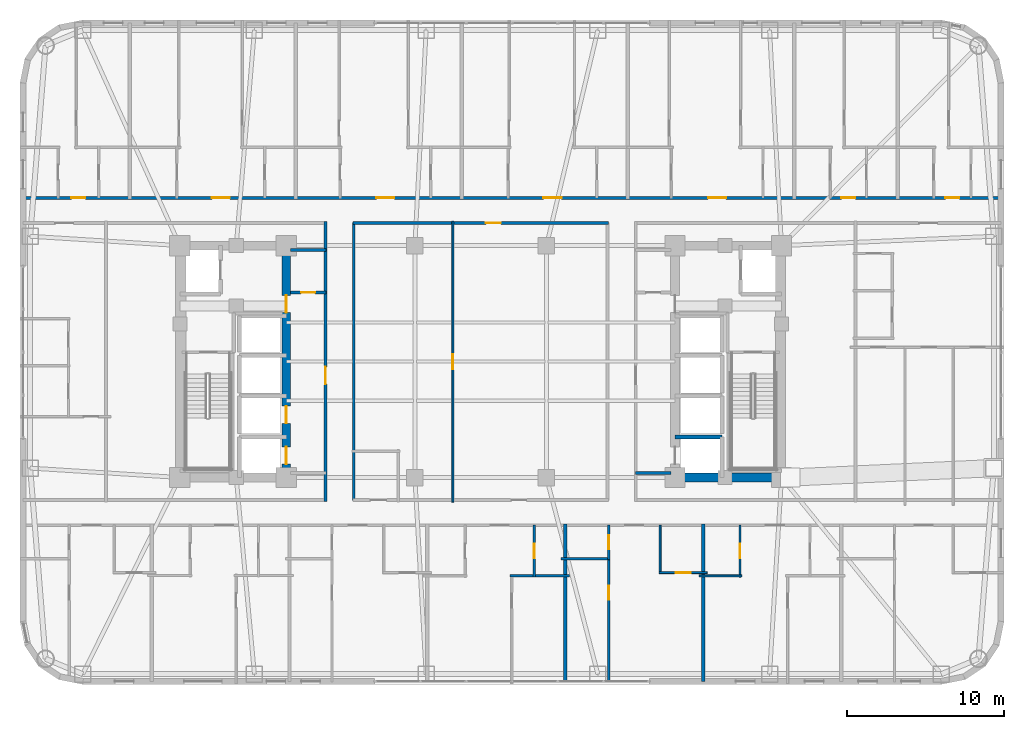
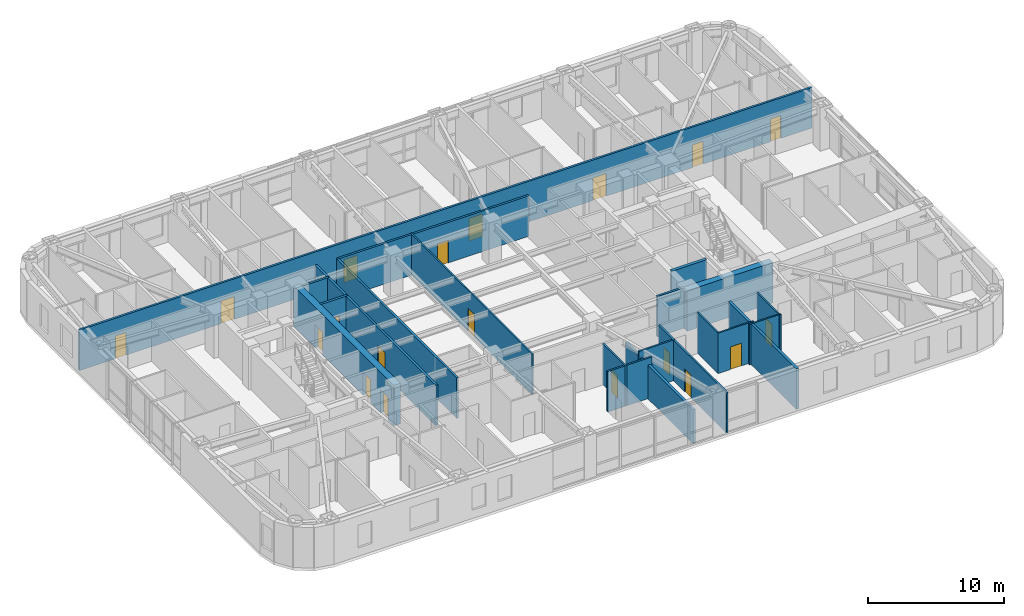
# One storey, part 22 of 28: 22 walls, 19 doors, 19 openings.
"""IFC4 building model written with IfcOpenShell, lengths in metres."""

import ifcopenshell
import ifcopenshell.guid

model = None  # the IFC model being written
_history = None  # IfcOwnerHistory: only IFC2X3 demands one
_inside = {}  # id of a spatial element -> (the spatial element, [elements in it])
_under = {}  # id of a project, library or spatial element -> (it, [spatial elements below it])
_declared = {}  # id of a project -> (the project, [libraries it declares])
_typed = {}  # id of a type object -> (the type object, [elements of that type])
_made_of = {}  # id of a material, layer set ... -> (it, [elements and type objects made of it])


def new_model(schema):
    """Start an empty IFC model of exactly this schema.

    Asked for "IFC4X3", IfcOpenShell would pick the latest addendum, in which some entities
    have other attributes; the version numbers below select the first issue.
    IFC2X3 requires an IfcOwnerHistory on every rooted entity: one is made here for all.
    """
    global model, _history
    if schema == "IFC4X3":
        model = ifcopenshell.file(schema_version=(4, 3, 0, 0))
    else:
        model = ifcopenshell.file(schema=schema)
    _inside.clear()
    _under.clear()
    _declared.clear()
    _typed.clear()
    _made_of.clear()
    _history = None
    if model.schema == "IFC2X3":
        org = make("IfcOrganization", Name="unknown")
        user = make(
            "IfcPersonAndOrganization",
            ThePerson=make("IfcPerson", FamilyName="unknown"),
            TheOrganization=org,
        )
        app = make(
            "IfcApplication",
            ApplicationDeveloper=org,
            Version="unknown",
            ApplicationFullName="unknown",
            ApplicationIdentifier="unknown",
        )
        _history = make(
            "IfcOwnerHistory",
            OwningUser=user,
            OwningApplication=app,
            ChangeAction="ADDED",
            CreationDate=0,
        )
    return model


def make(cls, **values):
    """One entity of the class cls with the attributes given. An attribute that is None is left unset."""
    return model.create_entity(
        cls, **{name: value for name, value in values.items() if value is not None}
    )


def rooted(cls, **values):
    """An entity with a GlobalId (a new one), such as an element, a storey or a relation."""
    return make(cls, GlobalId=ifcopenshell.guid.new(), OwnerHistory=_history, **values)


def si_unit(unit_type, name, prefix=None):
    """IfcSIUnit, for example si_unit("LENGTHUNIT", "METRE", prefix="MILLI")."""
    return make("IfcSIUnit", UnitType=unit_type, Prefix=prefix, Name=name)


def assignment(units):
    """IfcUnitAssignment: the units of a project."""
    return None if units is None else make("IfcUnitAssignment", Units=units)


def point(xyz):
    """IfcCartesianPoint."""
    return None if xyz is None else make("IfcCartesianPoint", Coordinates=xyz)


def direction(xyz):
    """IfcDirection."""
    return None if xyz is None else make("IfcDirection", DirectionRatios=xyz)


def frame(location, z_axis=None, x_axis=None):
    """IfcAxis2Placement3D, a coordinate frame: its origin and axes. An axis left out is left unset."""
    return make(
        "IfcAxis2Placement3D",
        Location=point(location),
        Axis=direction(z_axis),
        RefDirection=direction(x_axis),
    )


def frame_2d(location, x_axis=None):
    """IfcAxis2Placement2D, a coordinate frame in the plane: its origin and x axis."""
    return make(
        "IfcAxis2Placement2D", Location=point(location), RefDirection=direction(x_axis)
    )


def origin():
    """The frame at (0, 0, 0) with its axes left unset."""
    return frame((0.0, 0.0, 0.0))


def place(relative_to, where):
    """IfcLocalPlacement: puts the frame where relative to a parent placement (None: the world)."""
    return make(
        "IfcLocalPlacement", PlacementRelTo=relative_to, RelativePlacement=where
    )


def context(
    kind, dimensions, precision=None, world=None, true_north=None, identifier=None
):
    """IfcGeometricRepresentationContext, for example the 3D "Model" context."""
    return make(
        "IfcGeometricRepresentationContext",
        ContextIdentifier=identifier,
        ContextType=kind,
        CoordinateSpaceDimension=dimensions,
        Precision=precision,
        WorldCoordinateSystem=world,
        TrueNorth=true_north,
    )


def subcontext(parent, identifier, kind, view, scale=None):
    """IfcGeometricRepresentationSubContext, for example "Body" below "Model"."""
    return make(
        "IfcGeometricRepresentationSubContext",
        ContextIdentifier=identifier,
        ContextType=kind,
        ParentContext=parent,
        TargetScale=scale,
        TargetView=view,
    )


def project(units=None, contexts=None):
    """IfcProject with its units and contexts."""
    return rooted(
        "IfcProject",
        Name="project",
        RepresentationContexts=contexts,
        UnitsInContext=assignment(units),
    )


def spatial(cls, under=None, at=None, **own):
    """A site, building, storey or space (cls), placed at a placement, below another one or the project."""
    s = rooted(cls, ObjectPlacement=at, **own)
    if under is not None:
        _under.setdefault(under.id(), (under, []))[1].append(s)
    return s


def profile(cls, at=None, kind="AREA", **sizes):
    """A parametric profile (cls). Its sizes go by their IFC names, for example OverallWidth=200.0."""
    return make(cls, ProfileType=kind, Position=at, **sizes)


def rectangle(**sizes):
    """IfcRectangleProfileDef."""
    return profile("IfcRectangleProfileDef", **sizes)


def extrude(swept, where, along, depth):
    """IfcExtrudedAreaSolid: the profile swept, set in the frame where, extruded along a direction by depth."""
    return make(
        "IfcExtrudedAreaSolid",
        SweptArea=swept,
        Position=where,
        ExtrudedDirection=direction(along),
        Depth=depth,
    )


def shape(context_of_items, identifier, shape_type, items):
    """IfcShapeRepresentation: the items that make up one representation, for example the "Body"."""
    return make(
        "IfcShapeRepresentation",
        ContextOfItems=context_of_items,
        RepresentationIdentifier=identifier,
        RepresentationType=shape_type,
        Items=items,
    )


def material(Name=None, Category=None):
    """IfcMaterial."""
    return make("IfcMaterial", Name=Name, Category=Category)


def layer(
    of_material, thickness, ventilated=None, Name=None, Category=None, Priority=None
):
    """IfcMaterialLayer: one layer of a wall or slab, of a material (None: an air gap)."""
    return make(
        "IfcMaterialLayer",
        Material=of_material,
        LayerThickness=thickness,
        IsVentilated=ventilated,
        Name=Name,
        Category=Category,
        Priority=Priority,
    )


def layer_set(layers, Name=None):
    """IfcMaterialLayerSet."""
    return make("IfcMaterialLayerSet", MaterialLayers=layers, LayerSetName=Name)


def made_of(thing, what):
    """Note that an element or type object is made of a material, layer set ...; save() writes the relation."""
    if what is not None:
        _made_of.setdefault(what.id(), (what, []))[1].append(thing)
    return thing


def type_object(cls, material=None, **own):
    """A type object (cls), such as IfcWallType, which elements share."""
    return made_of(rooted(cls, **own), material)


def element(
    cls,
    number,
    at=None,
    inside=None,
    cuts=None,
    type_object=None,
    material=None,
    context=None,
    identifier="Body",
    shape_type=None,
    held_by="IfcProductDefinitionShape",
    body=None,
    shapes=None,
    **own,
):
    """One element of the class cls, such as IfcWall. Its Tag is "e" and its number.

    at: its placement. inside: the storey or other place that contains it. cuts: it is an
    opening in that element (IfcRelVoidsElement). A single representation is given by context,
    identifier, shape_type and body (its items); several are given by shapes. held_by: the class
    of the entity that holds the representations. save() writes the other relations.
    """
    e = rooted(cls, Tag="e%d" % number, ObjectPlacement=at, **own)
    if body is not None:
        shapes = [shape(context, identifier, shape_type, body)]
    if shapes is not None:
        e.Representation = make(held_by, Representations=shapes)
    if inside is not None:
        _inside.setdefault(inside.id(), (inside, []))[1].append(e)
    if cuts is not None:
        rooted(
            "IfcRelVoidsElement", RelatingBuildingElement=cuts, RelatedOpeningElement=e
        )
    if type_object is not None:
        _typed.setdefault(type_object.id(), (type_object, []))[1].append(e)
    return made_of(e, material)


def fill(opening, filler):
    """IfcRelFillsElement: the door or window that sits in an opening."""
    return rooted(
        "IfcRelFillsElement",
        RelatingOpeningElement=opening,
        RelatedBuildingElement=filler,
    )


def aggregate(whole, parts):
    """IfcRelAggregates: a whole, such as a stair, and the parts it consists of."""
    return rooted("IfcRelAggregates", RelatingObject=whole, RelatedObjects=parts)


def save(model, path):
    """Write the relations noted so far, then the file.

    IfcRelAggregates (storeys below a building ...), IfcRelContainedInSpatialStructure (elements
    in a storey), IfcRelDefinesByType, IfcRelAssociatesMaterial and IfcRelDeclares: one each for
    every whole, place, type object, material and project.
    """
    for whole, parts in _under.values():
        aggregate(whole, parts)
    for where, things in _inside.values():
        rooted(
            "IfcRelContainedInSpatialStructure",
            RelatedElements=things,
            RelatingStructure=where,
        )
    for kind, things in _typed.values():
        rooted("IfcRelDefinesByType", RelatedObjects=things, RelatingType=kind)
    for what, things in _made_of.values():
        rooted("IfcRelAssociatesMaterial", RelatedObjects=things, RelatingMaterial=what)
    for by, libraries in _declared.values():
        rooted("IfcRelDeclares", RelatingContext=by, RelatedDefinitions=libraries)
    model.write(path)


model = new_model("IFC4")

# Units and contexts
model_context = context("Model", 3, precision=1e-05, world=origin(), true_north=direction((0.0, 1.0)))
body_context = subcontext(model_context, "Body", "Model", "MODEL_VIEW")
ifc_project = project(units=[si_unit("LENGTHUNIT", "METRE"), si_unit("AREAUNIT", "SQUARE_METRE"), si_unit("VOLUMEUNIT", "CUBIC_METRE"), si_unit("PLANEANGLEUNIT", "RADIAN"), si_unit("MASSUNIT", "GRAM", prefix="KILO")], contexts=[model_context])

# Site, building, storey
site_placement = place(None, origin())
site = spatial("IfcSite", under=ifc_project, at=site_placement, CompositionType="ELEMENT")
building_placement = place(site_placement, origin())
building = spatial("IfcBuilding", under=site, at=building_placement, Name="Voryun Gate Residences", CompositionType="ELEMENT")
storey_placement = place(building_placement, frame((0.0, 0.0, 117.0)))
storey = spatial("IfcBuildingStorey", under=building, at=storey_placement, Name="L28", CompositionType="ELEMENT", Elevation=117.0)

# Wall, openings, doors
ifc_material_1 = material(Name="Concrete C60/75", Category="concrete")
ifc_layer_1 = layer(ifc_material_1, 0.550048828125, Name="CW_CORE_550")
ifc_layer_set_1 = layer_set([ifc_layer_1], Name="Concrete C60/75")
wall_type_1 = type_object("IfcWallType", Name="CW_CORE_550", PredefinedType="SHEAR", material=ifc_layer_set_1)
wall_1_placement = place(storey_placement, frame((-12.39990234375, -7.39990234375, 0.0), z_axis=(0.0, 0.0, 1.0), x_axis=(0.0, 1.0, 0.0)))
wall_1 = element("IfcWall", 1, at=wall_1_placement, inside=storey, type_object=wall_type_1, Name="L28 Core shear wall CW-L28-WE", PredefinedType="SHEAR", context=body_context, shape_type="SweptSolid", body=[
    extrude(rectangle(XDim=14.7998046875, YDim=0.550048828125, at=frame_2d((7.39990234375, 0.0))), origin(), (0.0, 0.0, 1.0), 3.64990234375),
])
opening_1_placement = place(wall_1_placement, frame((0.85009765625, 0.0, 0.0)))
opening_1 = element("IfcOpeningElement", 2, at=opening_1_placement, cuts=wall_1, Name="Opening LD2", PredefinedType="OPENING", context=body_context, shape_type="SweptSolid", body=[
    extrude(rectangle(XDim=1.10009765625, YDim=2.050048828125, at=frame_2d((0.550048828125, 1.02490234375))), frame((0.0, 0.284912109375, 0.0), z_axis=(0.0, -1.0, 0.0), x_axis=(1.0, 0.0, 0.0)), (0.0, 0.0, 1.0), 0.570068359375),
])
opening_2_placement = place(wall_1_placement, frame((3.449951171875, 0.0, 0.0)))
opening_2 = element("IfcOpeningElement", 3, at=opening_2_placement, cuts=wall_1, Name="Opening LD2", PredefinedType="OPENING", context=body_context, shape_type="SweptSolid", body=[
    extrude(rectangle(XDim=1.10009765625, YDim=2.050048828125, at=frame_2d((0.550048828125, 1.02490234375))), frame((0.0, 0.284912109375, 0.0), z_axis=(0.0, -1.0, 0.0), x_axis=(1.0, 0.0, 0.0)), (0.0, 0.0, 1.0), 0.570068359375),
])
opening_3_placement = place(wall_1_placement, frame((10.530029296875, 0.0, 0.0)))
opening_3 = element("IfcOpeningElement", 4, at=opening_3_placement, cuts=wall_1, Name="Opening D-FD60-2", PredefinedType="OPENING", context=body_context, shape_type="SweptSolid", body=[
    extrude(rectangle(XDim=1.10009765625, YDim=2.050048828125, at=frame_2d((0.550048828125, 1.02490234375))), frame((0.0, 0.284912109375, 0.0), z_axis=(0.0, -1.0, 0.0), x_axis=(1.0, 0.0, 0.0)), (0.0, 0.0, 1.0), 0.570068359375),
])
ifc_material_2 = material(Name="Painted steel fire door", Category="steel")
door_type_1 = type_object("IfcDoorType", Name="DR_FD60_FFLOB_1100", OperationType="NOTDEFINED", PredefinedType="DOOR", material=ifc_material_2)
door_1_placement = place(opening_3_placement, origin())
door_1 = element("IfcDoor", 5, at=door_1_placement, inside=storey, type_object=door_type_1, Name="Door DR-L28-CLOB-W", OperationType="SINGLE_SWING_LEFT", OverallHeight=2.050048828125, OverallWidth=1.10009765625, PredefinedType="DOOR", context=body_context, shape_type="SweptSolid", body=[
    extrude(rectangle(XDim=1.10009765625, YDim=2.050048828125, at=frame_2d((0.550048828125, 1.02490234375))), frame((0.0, 0.02490234375, 0.0), z_axis=(0.0, -1.0, 0.0), x_axis=(1.0, 0.0, 0.0)), (0.0, 0.0, 1.0), 0.050048828125),
])
fill(opening_3, door_1)
ifc_material_3 = material(Name="Anodised aluminium", Category="aluminium")
door_type_2 = type_object("IfcDoorType", Name="DR_LD_PASS_1100", OperationType="NOTDEFINED", PredefinedType="DOOR", material=ifc_material_3)
door_2_placement = place(opening_1_placement, origin())
door_2 = element("IfcDoor", 6, at=door_2_placement, inside=storey, type_object=door_type_2, Name="Lift EL-P1 sliding landing door L28", OperationType="SLIDING_TO_LEFT", OverallHeight=2.050048828125, OverallWidth=1.10009765625, PredefinedType="DOOR", context=body_context, shape_type="SweptSolid", body=[
    extrude(rectangle(XDim=1.10009765625, YDim=2.050048828125, at=frame_2d((0.550048828125, 1.02490234375))), frame((0.0, 0.02490234375, 0.0), z_axis=(0.0, -1.0, 0.0), x_axis=(1.0, 0.0, 0.0)), (0.0, 0.0, 1.0), 0.050048828125),
])
fill(opening_1, door_2)
door_3_placement = place(opening_2_placement, origin())
door_3 = element("IfcDoor", 7, at=door_3_placement, inside=storey, type_object=door_type_2, Name="Lift EL-P2 sliding landing door L28", OperationType="SLIDING_TO_LEFT", OverallHeight=2.050048828125, OverallWidth=1.10009765625, PredefinedType="DOOR", context=body_context, shape_type="SweptSolid", body=[
    extrude(rectangle(XDim=1.10009765625, YDim=2.050048828125, at=frame_2d((0.550048828125, 1.02490234375))), frame((0.0, 0.02490234375, 0.0), z_axis=(0.0, -1.0, 0.0), x_axis=(1.0, 0.0, 0.0)), (0.0, 0.0, 1.0), 0.050048828125),
])
fill(opening_2, door_3)

# Walls
wall_2_placement = place(storey_placement, frame((12.125, -7.39990234375, 0.0), z_axis=(0.0, 0.0, 1.0), x_axis=(1.0, 0.0, 0.0)))
element("IfcWall", 8, at=wall_2_placement, inside=storey, type_object=wall_type_1, Name="L28 Core shear wall CW-L28-ES", PredefinedType="SHEAR", context=body_context, shape_type="SweptSolid", body=[
    extrude(rectangle(XDim=7.35009765625, YDim=0.550048828125, at=frame_2d((3.675048828125, 0.0))), origin(), (0.0, 0.0, 1.0), 3.64990234375),
])
ifc_material_4 = material(Name="Gypsum acoustic fireboard")
ifc_layer_2 = layer(ifc_material_4, 0.179931640625, Name="W_CORR_RATED_180")
ifc_layer_set_2 = layer_set([ifc_layer_2], Name="Gypsum acoustic fireboard")
wall_type_2 = type_object("IfcWallType", Name="W_CORR_RATED_180", PredefinedType="PARTITIONING", material=ifc_layer_set_2)
for number, where, z_axis, x_axis, name in (
    (9, (-12.14990234375, 7.1201171875, 0.0), (0.0, 0.0, 1.0), (1.0, 0.0, 0.0), "Partition wall WP-L28-PLBN-W"),
    (10, (9.8798828125, -7.1201171875, 0.0), (0.0, 0.0, 1.0), (1.0, 0.0, 0.0), "Partition wall WP-L28-PLBS-E"),
):
    element("IfcWall", number, at=place(storey_placement, frame(where, z_axis=z_axis, x_axis=x_axis)), inside=storey, type_object=wall_type_2, Name=name, PredefinedType="PARTITIONING", context=body_context, shape_type="SweptSolid", body=[
        extrude(rectangle(XDim=2.27001953125, YDim=0.179931640625, at=frame_2d((1.135009765625, 0.0))), origin(), (0.0, 0.0, 1.0), 3.64990234375),
    ])

# Wall, opening, door
wall_3_placement = place(storey_placement, frame((-9.89990234375, -8.929931640625, 0.0), z_axis=(0.0, 0.0, 1.0), x_axis=(0.0, 1.0, 0.0)))
wall_3 = element("IfcWall", 11, at=wall_3_placement, inside=storey, type_object=wall_type_2, Name="Partition wall WP-L28-PLBW-FULL", PredefinedType="PARTITIONING", context=body_context, shape_type="SweptSolid", body=[
    extrude(rectangle(XDim=17.85986328125, YDim=0.179931640625, at=frame_2d((8.929931640625, 0.0))), origin(), (0.0, 0.0, 1.0), 3.64990234375),
])
opening_4_placement = place(wall_3_placement, frame((7.487060546875, 0.0, 0.0)))
opening_4 = element("IfcOpeningElement", 12, at=opening_4_placement, cuts=wall_3, Name="Opening D-FD60-2", PredefinedType="OPENING", context=body_context, shape_type="SweptSolid", body=[
    extrude(rectangle(XDim=1.10009765625, YDim=2.050048828125, at=frame_2d((0.550048828125, 1.02490234375))), frame((0.0, 0.099853515625, 0.0), z_axis=(0.0, -1.0, 0.0), x_axis=(1.0, 0.0, 0.0)), (0.0, 0.0, 1.0), 0.199951171875),
])
door_4_placement = place(opening_4_placement, origin())
door_4 = element("IfcDoor", 13, at=door_4_placement, inside=storey, type_object=door_type_1, Name="Door DR-L28-PLBW-COR", OperationType="SINGLE_SWING_LEFT", OverallHeight=2.050048828125, OverallWidth=1.10009765625, PredefinedType="DOOR", context=body_context, shape_type="SweptSolid", body=[
    extrude(rectangle(XDim=1.10009765625, YDim=2.050048828125, at=frame_2d((0.550048828125, 1.02490234375))), frame((0.0, 0.02490234375, 0.0), z_axis=(0.0, -1.0, 0.0), x_axis=(1.0, 0.0, 0.0)), (0.0, 0.0, 1.0), 0.050048828125),
])
fill(opening_4, door_4)

wall_4_placement = place(storey_placement, frame((-8.14990234375, 8.840087890625, 0.0), z_axis=(0.0, 0.0, 1.0), x_axis=(1.0, 0.0, 0.0)))
wall_4 = element("IfcWall", 14, at=wall_4_placement, inside=storey, type_object=wall_type_2, Name="Partition wall WP-L28-Z1N", PredefinedType="PARTITIONING", context=body_context, shape_type="SweptSolid", body=[
    extrude(rectangle(XDim=16.2998046875, YDim=0.179931640625, at=frame_2d((8.14990234375, 0.0))), origin(), (0.0, 0.0, 1.0), 3.64990234375),
])
opening_5_placement = place(wall_4_placement, frame((8.489990234375, 0.0, 0.0)))
opening_5 = element("IfcOpeningElement", 15, at=opening_5_placement, cuts=wall_4, Name="Opening D-INT-1", PredefinedType="OPENING", context=body_context, shape_type="SweptSolid", body=[
    extrude(rectangle(XDim=0.949951171875, YDim=2.050048828125, at=frame_2d((0.47509765625, 1.02490234375))), frame((0.0, 0.099853515625, 0.0), z_axis=(0.0, -1.0, 0.0), x_axis=(1.0, 0.0, 0.0)), (0.0, 0.0, 1.0), 0.199951171875),
])
ifc_material_5 = material(Name="Architectural oak veneer")
door_type_3 = type_object("IfcDoorType", Name="DR_INT_ROOM_950", OperationType="NOTDEFINED", PredefinedType="DOOR", material=ifc_material_5)
door_5_placement = place(opening_5_placement, origin())
door_5 = element("IfcDoor", 16, at=door_5_placement, inside=storey, type_object=door_type_3, Name="Door DR-L28-CMIDZ1N", OperationType="SINGLE_SWING_LEFT", OverallHeight=2.050048828125, OverallWidth=0.949951171875, PredefinedType="DOOR", context=body_context, shape_type="SweptSolid", body=[
    extrude(rectangle(XDim=0.949951171875, YDim=2.050048828125, at=frame_2d((0.47509765625, 1.02490234375))), frame((0.0, 0.02490234375, 0.0), z_axis=(0.0, -1.0, 0.0), x_axis=(1.0, 0.0, 0.0)), (0.0, 0.0, 1.0), 0.050048828125),
])
fill(opening_5, door_5)

# Wall
wall_5_placement = place(storey_placement, frame((-8.10009765625, -8.8798828125, 0.0), z_axis=(0.0, 0.0, 1.0), x_axis=(0.0, 1.0, 0.0)))
element("IfcWall", 17, at=wall_5_placement, inside=storey, type_object=wall_type_2, Name="Partition wall WP-L28-Z1W", PredefinedType="PARTITIONING", context=body_context, shape_type="SweptSolid", body=[
    extrude(rectangle(XDim=17.759765625, YDim=0.179931640625, at=frame_2d((8.8798828125, 0.0))), origin(), (0.0, 0.0, 1.0), 3.64990234375),
])

# Wall, openings, doors
wall_6_placement = place(storey_placement, frame((-29.2099609375, 10.449951171875, 0.0), z_axis=(0.0, 0.0, 1.0), x_axis=(1.0, 0.0, 0.0)))
wall_6 = element("IfcWall", 18, at=wall_6_placement, inside=storey, type_object=wall_type_2, Name="Partition wall WP-L28-NCORR", PredefinedType="PARTITIONING", context=body_context, shape_type="SweptSolid", body=[
    extrude(rectangle(XDim=62.419921875, YDim=0.179931640625, at=frame_2d((31.2099609375, 0.0))), origin(), (0.0, 0.0, 1.0), 3.64990234375),
])
opening_6_placement = place(wall_6_placement, frame((3.0830078125, 0.0, 0.0)))
opening_6 = element("IfcOpeningElement", 19, at=opening_6_placement, cuts=wall_6, Name="Opening D-INT-2", PredefinedType="OPENING", context=body_context, shape_type="SweptSolid", body=[
    extrude(rectangle(XDim=0.89990234375, YDim=2.050048828125, at=frame_2d((0.449951171875, 1.02490234375))), frame((0.0, 0.099853515625, 0.0), z_axis=(0.0, -1.0, 0.0), x_axis=(1.0, 0.0, 0.0)), (0.0, 0.0, 1.0), 0.199951171875),
])
opening_7_placement = place(wall_6_placement, frame((12.052490234375, 0.0, 0.0)))
opening_7 = element("IfcOpeningElement", 20, at=opening_7_placement, cuts=wall_6, Name="Opening D-UNIT-1", PredefinedType="OPENING", context=body_context, shape_type="SweptSolid", body=[
    extrude(rectangle(XDim=1.14990234375, YDim=2.050048828125, at=frame_2d((0.574951171875, 1.02490234375))), frame((0.0, 0.099853515625, 0.0), z_axis=(0.0, -1.0, 0.0), x_axis=(1.0, 0.0, 0.0)), (0.0, 0.0, 1.0), 0.199951171875),
])
opening_8_placement = place(wall_6_placement, frame((22.557861328125, 0.0, 0.0)))
opening_8 = element("IfcOpeningElement", 21, at=opening_8_placement, cuts=wall_6, Name="Opening D-UNIT-1", PredefinedType="OPENING", context=body_context, shape_type="SweptSolid", body=[
    extrude(rectangle(XDim=1.14990234375, YDim=2.050048828125, at=frame_2d((0.574951171875, 1.02490234375))), frame((0.0, 0.099853515625, 0.0), z_axis=(0.0, -1.0, 0.0), x_axis=(1.0, 0.0, 0.0)), (0.0, 0.0, 1.0), 0.199951171875),
])
opening_9_placement = place(wall_6_placement, frame((33.21923828125, 0.0, 0.0)))
opening_9 = element("IfcOpeningElement", 22, at=opening_9_placement, cuts=wall_6, Name="Opening D-UNIT-1", PredefinedType="OPENING", context=body_context, shape_type="SweptSolid", body=[
    extrude(rectangle(XDim=1.14990234375, YDim=2.050048828125, at=frame_2d((0.574951171875, 1.02490234375))), frame((0.0, 0.099853515625, 0.0), z_axis=(0.0, -1.0, 0.0), x_axis=(1.0, 0.0, 0.0)), (0.0, 0.0, 1.0), 0.199951171875),
])
opening_10_placement = place(wall_6_placement, frame((43.724609375, 0.0, 0.0)))
opening_10 = element("IfcOpeningElement", 23, at=opening_10_placement, cuts=wall_6, Name="Opening D-UNIT-1", PredefinedType="OPENING", context=body_context, shape_type="SweptSolid", body=[
    extrude(rectangle(XDim=1.14990234375, YDim=2.050048828125, at=frame_2d((0.574951171875, 1.02490234375))), frame((0.0, 0.099853515625, 0.0), z_axis=(0.0, -1.0, 0.0), x_axis=(1.0, 0.0, 0.0)), (0.0, 0.0, 1.0), 0.199951171875),
])
opening_11_placement = place(wall_6_placement, frame((52.232421875, 0.0, 0.0)))
opening_11 = element("IfcOpeningElement", 24, at=opening_11_placement, cuts=wall_6, Name="Opening D-INT-2", PredefinedType="OPENING", context=body_context, shape_type="SweptSolid", body=[
    extrude(rectangle(XDim=0.89990234375, YDim=2.050048828125, at=frame_2d((0.449951171875, 1.02490234375))), frame((0.0, 0.099853515625, 0.0), z_axis=(0.0, -1.0, 0.0), x_axis=(1.0, 0.0, 0.0)), (0.0, 0.0, 1.0), 0.199951171875),
])
opening_12_placement = place(wall_6_placement, frame((58.86767578125, 0.0, 0.0)))
opening_12 = element("IfcOpeningElement", 25, at=opening_12_placement, cuts=wall_6, Name="Opening D-INT-2", PredefinedType="OPENING", context=body_context, shape_type="SweptSolid", body=[
    extrude(rectangle(XDim=0.89990234375, YDim=2.050048828125, at=frame_2d((0.449951171875, 1.02490234375))), frame((0.0, 0.099853515625, 0.0), z_axis=(0.0, -1.0, 0.0), x_axis=(1.0, 0.0, 0.0)), (0.0, 0.0, 1.0), 0.199951171875),
])
ifc_material_6 = material(Name="Architectural oak veneer")
door_type_4 = type_object("IfcDoorType", Name="DR_INT_BATH_900", OperationType="NOTDEFINED", PredefinedType="DOOR", material=ifc_material_6)
door_6_placement = place(opening_6_placement, origin())
door_6 = element("IfcDoor", 26, at=door_6_placement, inside=storey, type_object=door_type_4, Name="Door DR-L28-NENT-1", OperationType="SINGLE_SWING_LEFT", OverallHeight=2.050048828125, OverallWidth=0.89990234375, PredefinedType="DOOR", context=body_context, shape_type="SweptSolid", body=[
    extrude(rectangle(XDim=0.89990234375, YDim=2.050048828125, at=frame_2d((0.449951171875, 1.02490234375))), frame((0.0, 0.02490234375, 0.0), z_axis=(0.0, -1.0, 0.0), x_axis=(1.0, 0.0, 0.0)), (0.0, 0.0, 1.0), 0.050048828125),
])
fill(opening_6, door_6)
door_7_placement = place(opening_11_placement, origin())
door_7 = element("IfcDoor", 27, at=door_7_placement, inside=storey, type_object=door_type_4, Name="Door DR-L28-NENT-6", OperationType="SINGLE_SWING_RIGHT", OverallHeight=2.050048828125, OverallWidth=0.89990234375, PredefinedType="DOOR", context=body_context, shape_type="SweptSolid", body=[
    extrude(rectangle(XDim=0.89990234375, YDim=2.050048828125, at=frame_2d((0.449951171875, 1.02490234375))), frame((0.0, 0.02490234375, 0.0), z_axis=(0.0, -1.0, 0.0), x_axis=(1.0, 0.0, 0.0)), (0.0, 0.0, 1.0), 0.050048828125),
])
fill(opening_11, door_7)
door_8_placement = place(opening_12_placement, origin())
door_8 = element("IfcDoor", 28, at=door_8_placement, inside=storey, type_object=door_type_4, Name="Door DR-L28-NENT-7", OperationType="SINGLE_SWING_LEFT", OverallHeight=2.050048828125, OverallWidth=0.89990234375, PredefinedType="DOOR", context=body_context, shape_type="SweptSolid", body=[
    extrude(rectangle(XDim=0.89990234375, YDim=2.050048828125, at=frame_2d((0.449951171875, 1.02490234375))), frame((0.0, 0.02490234375, 0.0), z_axis=(0.0, -1.0, 0.0), x_axis=(1.0, 0.0, 0.0)), (0.0, 0.0, 1.0), 0.050048828125),
])
fill(opening_12, door_8)
ifc_material_7 = material(Name="Armoured timber-clad fire door", Category="wood")
door_type_5 = type_object("IfcDoorType", Name="DR_UNIT_ENTRY_1150", OperationType="NOTDEFINED", PredefinedType="DOOR", material=ifc_material_7)
door_9_placement = place(opening_7_placement, origin())
door_9 = element("IfcDoor", 29, at=door_9_placement, inside=storey, type_object=door_type_5, Name="Door DR-L28-NENT-2", OperationType="SINGLE_SWING_RIGHT", OverallHeight=2.050048828125, OverallWidth=1.14990234375, PredefinedType="DOOR", context=body_context, shape_type="SweptSolid", body=[
    extrude(rectangle(XDim=1.14990234375, YDim=2.050048828125, at=frame_2d((0.574951171875, 1.02490234375))), frame((0.0, 0.02490234375, 0.0), z_axis=(0.0, -1.0, 0.0), x_axis=(1.0, 0.0, 0.0)), (0.0, 0.0, 1.0), 0.050048828125),
])
fill(opening_7, door_9)
door_10_placement = place(opening_8_placement, origin())
door_10 = element("IfcDoor", 30, at=door_10_placement, inside=storey, type_object=door_type_5, Name="Door DR-L28-NENT-3", OperationType="SINGLE_SWING_LEFT", OverallHeight=2.050048828125, OverallWidth=1.14990234375, PredefinedType="DOOR", context=body_context, shape_type="SweptSolid", body=[
    extrude(rectangle(XDim=1.14990234375, YDim=2.050048828125, at=frame_2d((0.574951171875, 1.02490234375))), frame((0.0, 0.02490234375, 0.0), z_axis=(0.0, -1.0, 0.0), x_axis=(1.0, 0.0, 0.0)), (0.0, 0.0, 1.0), 0.050048828125),
])
fill(opening_8, door_10)
door_11_placement = place(opening_9_placement, origin())
door_11 = element("IfcDoor", 31, at=door_11_placement, inside=storey, type_object=door_type_5, Name="Door DR-L28-NENT-4", OperationType="SINGLE_SWING_RIGHT", OverallHeight=2.050048828125, OverallWidth=1.14990234375, PredefinedType="DOOR", context=body_context, shape_type="SweptSolid", body=[
    extrude(rectangle(XDim=1.14990234375, YDim=2.050048828125, at=frame_2d((0.574951171875, 1.02490234375))), frame((0.0, 0.02490234375, 0.0), z_axis=(0.0, -1.0, 0.0), x_axis=(1.0, 0.0, 0.0)), (0.0, 0.0, 1.0), 0.050048828125),
])
fill(opening_9, door_11)
door_12_placement = place(opening_10_placement, origin())
door_12 = element("IfcDoor", 32, at=door_12_placement, inside=storey, type_object=door_type_5, Name="Door DR-L28-NENT-5", OperationType="SINGLE_SWING_LEFT", OverallHeight=2.050048828125, OverallWidth=1.14990234375, PredefinedType="DOOR", context=body_context, shape_type="SweptSolid", body=[
    extrude(rectangle(XDim=1.14990234375, YDim=2.050048828125, at=frame_2d((0.574951171875, 1.02490234375))), frame((0.0, 0.02490234375, 0.0), z_axis=(0.0, -1.0, 0.0), x_axis=(1.0, 0.0, 0.0)), (0.0, 0.0, 1.0), 0.050048828125),
])
fill(opening_10, door_12)

# Wall, opening, door
ifc_material_8 = material(Name="Concrete C40/50", Category="concrete")
ifc_layer_3 = layer(ifc_material_8, 0.199951171875, Name="W_FF_LOBBY_200")
ifc_layer_set_3 = layer_set([ifc_layer_3], Name="Concrete C40/50")
wall_type_3 = type_object("IfcWallType", Name="W_FF_LOBBY_200", PredefinedType="PARTITIONING", material=ifc_layer_set_3)
wall_7_placement = place(storey_placement, frame((-12.14990234375, 4.409912109375, 0.0), z_axis=(0.0, 0.0, 1.0), x_axis=(1.0, 0.0, 0.0)))
wall_7 = element("IfcWall", 33, at=wall_7_placement, inside=storey, type_object=wall_type_3, Name="Partition wall WP-L28-CSFLKS-W", PredefinedType="PARTITIONING", context=body_context, shape_type="SweptSolid", body=[
    extrude(rectangle(XDim=2.27001953125, YDim=0.199951171875, at=frame_2d((1.135009765625, 0.0))), origin(), (0.0, 0.0, 1.0), 3.64990234375),
])
opening_13_placement = place(wall_7_placement, frame((0.68505859375, 0.0, 0.0)))
opening_13 = element("IfcOpeningElement", 34, at=opening_13_placement, cuts=wall_7, Name="Opening D-FD60-4", PredefinedType="OPENING", context=body_context, shape_type="SweptSolid", body=[
    extrude(rectangle(XDim=0.89990234375, YDim=2.050048828125, at=frame_2d((0.449951171875, 1.02490234375))), frame((0.0, 0.110107421875, 0.0), z_axis=(0.0, -1.0, 0.0), x_axis=(1.0, 0.0, 0.0)), (0.0, 0.0, 1.0), 0.219970703125),
])
ifc_material_9 = material(Name="Painted steel fire door", Category="steel")
door_type_6 = type_object("IfcDoorType", Name="DR_FD60_RISER_900", OperationType="NOTDEFINED", PredefinedType="DOOR", material=ifc_material_9)
door_13_placement = place(opening_13_placement, origin())
door_13 = element("IfcDoor", 35, at=door_13_placement, inside=storey, type_object=door_type_6, Name="Door DR-L28-CSFLK-W", OperationType="SINGLE_SWING_LEFT", OverallHeight=2.050048828125, OverallWidth=0.89990234375, PredefinedType="DOOR", context=body_context, shape_type="SweptSolid", body=[
    extrude(rectangle(XDim=0.89990234375, YDim=2.050048828125, at=frame_2d((0.449951171875, 1.02490234375))), frame((0.0, 0.02490234375, 0.0), z_axis=(0.0, -1.0, 0.0), x_axis=(1.0, 0.0, 0.0)), (0.0, 0.0, 1.0), 0.050048828125),
])
fill(opening_13, door_13)

# Walls
ifc_material_10 = material(Name="Concrete C40/50", Category="concrete")
ifc_layer_4 = layer(ifc_material_10, 0.219970703125, Name="W_PARTY_ACOUSTIC_220")
ifc_layer_set_4 = layer_set([ifc_layer_4], Name="Concrete C40/50")
wall_type_4 = type_object("IfcWallType", Name="W_PARTY_ACOUSTIC_220", PredefinedType="PARTITIONING", material=ifc_layer_set_4)
wall_8_placement = place(storey_placement, frame((5.39990234375, -20.409912109375, 0.0), z_axis=(0.0, 0.0, 1.0), x_axis=(0.0, 1.0, 0.0)))
element("IfcWall", 36, at=wall_8_placement, inside=storey, type_object=wall_type_4, Name="Partition wall WP-L28-SPTY-4", PredefinedType="PARTITIONING", context=body_context, shape_type="SweptSolid", body=[
    extrude(rectangle(XDim=10.039794921875, YDim=0.219970703125, at=frame_2d((5.02001953125, 0.0))), origin(), (0.0, 0.0, 1.0), 3.0400390625),
])
wall_9_placement = place(storey_placement, frame((14.199951171875, -20.409912109375, 0.0), z_axis=(0.0, 0.0, 1.0), x_axis=(0.0, 1.0, 0.0)))
element("IfcWall", 37, at=wall_9_placement, inside=storey, type_object=wall_type_4, Name="Partition wall WP-L28-SPTY-5", PredefinedType="PARTITIONING", context=body_context, shape_type="SweptSolid", body=[
    extrude(rectangle(XDim=10.039794921875, YDim=0.219970703125, at=frame_2d((5.02001953125, 0.0))), origin(), (0.0, 0.0, 1.0), 3.64990234375),
])
ifc_material_11 = material(Name="Concrete C50/60", Category="concrete")
ifc_layer_5 = layer(ifc_material_11, 0.25, Name="W_SHAFT_RC250")
ifc_layer_set_5 = layer_set([ifc_layer_5], Name="Concrete C50/60")
wall_type_5 = type_object("IfcWallType", Name="W_SHAFT_RC250", PredefinedType="SOLIDWALL", material=ifc_layer_set_5)
wall_10_placement = place(storey_placement, frame((15.39990234375, -4.800048828125, 0.0), z_axis=(0.0, 0.0, 1.0), x_axis=(-1.0, 0.0, 0.0)))
element("IfcWall", 38, at=wall_10_placement, inside=storey, type_object=wall_type_5, Name="Lift shaft wall WSH-L28-EL-P3-N", PredefinedType="SOLIDWALL", context=body_context, shape_type="SweptSolid", body=[
    extrude(rectangle(XDim=3.0, YDim=0.25, at=frame_2d((1.5, 0.0))), origin(), (0.0, 0.0, 1.0), 3.64990234375),
])

# Wall, opening, door
ifc_material_12 = material(Name="Gypsum acoustic partition")
ifc_layer_6 = layer(ifc_material_12, 0.125, Name="W_UNIT_PART_125")
ifc_layer_set_6 = layer_set([ifc_layer_6], Name="Gypsum acoustic partition")
wall_type_6 = type_object("IfcWallType", Name="W_UNIT_PART_125", PredefinedType="PARTITIONING", material=ifc_layer_set_6)
wall_11_placement = place(storey_placement, frame((-1.77294921875, -8.969970703125, 0.0), z_axis=(0.0, 0.0, 1.0), x_axis=(0.0, 1.0, 0.0)))
wall_11 = element("IfcWall", 39, at=wall_11_placement, inside=storey, type_object=wall_type_6, Name="Partition wall WP-L28-MIDX-0", PredefinedType="PARTITIONING", context=body_context, shape_type="SweptSolid", body=[
    extrude(rectangle(XDim=17.93994140625, YDim=0.125, at=frame_2d((8.969970703125, 0.0))), origin(), (0.0, 0.0, 1.0), 3.64990234375),
])
opening_14_placement = place(wall_11_placement, frame((8.4951171875, 0.0, 0.0)))
opening_14 = element("IfcOpeningElement", 40, at=opening_14_placement, cuts=wall_11, Name="Opening D-INT-1", PredefinedType="OPENING", context=body_context, shape_type="SweptSolid", body=[
    extrude(rectangle(XDim=0.949951171875, YDim=2.050048828125, at=frame_2d((0.47509765625, 1.02490234375))), frame((0.0, 0.072509765625, 0.0), z_axis=(0.0, -1.0, 0.0), x_axis=(1.0, 0.0, 0.0)), (0.0, 0.0, 1.0), 0.14501953125),
])
door_14_placement = place(opening_14_placement, origin())
door_14 = element("IfcDoor", 41, at=door_14_placement, inside=storey, type_object=door_type_3, Name="Door DR-L28-MIDX-0", OperationType="SINGLE_SWING_LEFT", OverallHeight=2.050048828125, OverallWidth=0.949951171875, PredefinedType="DOOR", context=body_context, shape_type="SweptSolid", body=[
    extrude(rectangle(XDim=0.949951171875, YDim=2.050048828125, at=frame_2d((0.47509765625, 1.02490234375))), frame((0.0, 0.02490234375, 0.0), z_axis=(0.0, -1.0, 0.0), x_axis=(1.0, 0.0, 0.0)), (0.0, 0.0, 1.0), 0.050048828125),
])
fill(opening_14, door_14)

wall_12_placement = place(storey_placement, frame((11.39697265625, -13.469970703125, 0.0), z_axis=(0.0, 0.0, 1.0), x_axis=(1.0, 0.0, 0.0)))
wall_12 = element("IfcWall", 42, at=wall_12_placement, inside=storey, type_object=wall_type_6, Name="Partition wall WP-L28-S5-KHY", PredefinedType="PARTITIONING", context=body_context, shape_type="SweptSolid", body=[
    extrude(rectangle(XDim=3.06298828125, YDim=0.125, at=frame_2d((1.531494140625, 0.0))), origin(), (0.0, 0.0, 1.0), 3.64990234375),
])
opening_15_placement = place(wall_12_placement, frame((1.056396484375, 0.0, 0.0)))
opening_15 = element("IfcOpeningElement", 43, at=opening_15_placement, cuts=wall_12, Name="Opening D-INT-1", PredefinedType="OPENING", context=body_context, shape_type="SweptSolid", body=[
    extrude(rectangle(XDim=0.949951171875, YDim=2.050048828125, at=frame_2d((0.47509765625, 1.02490234375))), frame((0.0, 0.072509765625, 0.0), z_axis=(0.0, -1.0, 0.0), x_axis=(1.0, 0.0, 0.0)), (0.0, 0.0, 1.0), 0.14501953125),
])
door_15_placement = place(opening_15_placement, origin())
door_15 = element("IfcDoor", 44, at=door_15_placement, inside=storey, type_object=door_type_3, Name="Door DR-L28-S5-DK", OperationType="SINGLE_SWING_LEFT", OverallHeight=2.050048828125, OverallWidth=0.949951171875, PredefinedType="DOOR", context=body_context, shape_type="SweptSolid", body=[
    extrude(rectangle(XDim=0.949951171875, YDim=2.050048828125, at=frame_2d((0.47509765625, 1.02490234375))), frame((0.0, 0.02490234375, 0.0), z_axis=(0.0, -1.0, 0.0), x_axis=(1.0, 0.0, 0.0)), (0.0, 0.0, 1.0), 0.050048828125),
])
fill(opening_15, door_15)

# Wall
wall_13_placement = place(storey_placement, frame((11.45703125, -13.530029296875, 0.0), z_axis=(0.0, 0.0, 1.0), x_axis=(0.0, 1.0, 0.0)))
element("IfcWall", 45, at=wall_13_placement, inside=storey, type_object=wall_type_6, Name="Partition wall WP-L28-S5-KVX", PredefinedType="PARTITIONING", context=body_context, shape_type="SweptSolid", body=[
    extrude(rectangle(XDim=3.10009765625, YDim=0.125, at=frame_2d((1.550048828125, 0.0))), origin(), (0.0, 0.0, 1.0), 3.64990234375),
])

# Wall, opening, door
wall_14_placement = place(storey_placement, frame((16.552001953125, -13.75, 0.0), z_axis=(0.0, 0.0, 1.0), x_axis=(0.0, 1.0, 0.0)))
wall_14 = element("IfcWall", 46, at=wall_14_placement, inside=storey, type_object=wall_type_6, Name="Partition wall WP-L28-S6-IVK", PredefinedType="PARTITIONING", context=body_context, shape_type="SweptSolid", body=[
    extrude(rectangle(XDim=3.320068359375, YDim=0.125, at=frame_2d((1.66015625, 0.0))), origin(), (0.0, 0.0, 1.0), 3.64990234375),
])
opening_16_placement = place(wall_14_placement, frame((1.18505859375, 0.0, 0.0)))
opening_16 = element("IfcOpeningElement", 47, at=opening_16_placement, cuts=wall_14, Name="Opening D-INT-1", PredefinedType="OPENING", context=body_context, shape_type="SweptSolid", body=[
    extrude(rectangle(XDim=0.949951171875, YDim=2.050048828125, at=frame_2d((0.47509765625, 1.02490234375))), frame((0.0, 0.072509765625, 0.0), z_axis=(0.0, -1.0, 0.0), x_axis=(1.0, 0.0, 0.0)), (0.0, 0.0, 1.0), 0.14501953125),
])
door_16_placement = place(opening_16_placement, origin())
door_16 = element("IfcDoor", 48, at=door_16_placement, inside=storey, type_object=door_type_3, Name="Door DR-L28-S6-DK", OperationType="SINGLE_SWING_LEFT", OverallHeight=2.050048828125, OverallWidth=0.949951171875, PredefinedType="DOOR", context=body_context, shape_type="SweptSolid", body=[
    extrude(rectangle(XDim=0.949951171875, YDim=2.050048828125, at=frame_2d((0.47509765625, 1.02490234375))), frame((0.0, 0.02490234375, 0.0), z_axis=(0.0, -1.0, 0.0), x_axis=(1.0, 0.0, 0.0)), (0.0, 0.0, 1.0), 0.050048828125),
])
fill(opening_16, door_16)

# Walls
wall_15_placement = place(storey_placement, frame((13.93994140625, -13.669921875, 0.0), z_axis=(0.0, 0.0, 1.0), x_axis=(1.0, 0.0, 0.0)))
element("IfcWall", 49, at=wall_15_placement, inside=storey, type_object=wall_type_6, Name="Partition wall WP-L28-S6-HZK", PredefinedType="PARTITIONING", context=body_context, shape_type="SweptSolid", body=[
    extrude(rectangle(XDim=2.732177734375, YDim=0.125, at=frame_2d((1.3662109375, 0.0))), origin(), (0.0, 0.0, 1.0), 3.64990234375),
])
ifc_material_13 = material(Name="Gypsum moisture-resistant partition")
ifc_layer_7 = layer(ifc_material_13, 0.14990234375, Name="W_WET_PLUMB_150")
ifc_layer_set_7 = layer_set([ifc_layer_7], Name="Gypsum moisture-resistant partition")
wall_type_7 = type_object("IfcWallType", Name="W_WET_PLUMB_150", PredefinedType="PLUMBINGWALL", material=ifc_layer_set_7)
wall_16_placement = place(storey_placement, frame((1.8701171875, -13.669921875, 0.0), z_axis=(0.0, 0.0, 1.0), x_axis=(1.0, 0.0, 0.0)))
element("IfcWall", 50, at=wall_16_placement, inside=storey, type_object=wall_type_7, Name="Partition wall WP-L28-S4-HZB", PredefinedType="PLUMBINGWALL", context=body_context, shape_type="SweptSolid", body=[
    extrude(rectangle(XDim=3.789794921875, YDim=0.14990234375, at=frame_2d((1.89501953125, 0.0))), origin(), (0.0, 0.0, 1.0), 3.64990234375),
])

# Wall, opening, door
wall_17_placement = place(storey_placement, frame((3.419921875, -13.75, 0.0), z_axis=(0.0, 0.0, 1.0), x_axis=(0.0, 1.0, 0.0)))
wall_17 = element("IfcWall", 51, at=wall_17_placement, inside=storey, type_object=wall_type_7, Name="Partition wall WP-L28-S4-IVB", PredefinedType="PLUMBINGWALL", context=body_context, shape_type="SweptSolid", body=[
    extrude(rectangle(XDim=3.320068359375, YDim=0.14990234375, at=frame_2d((1.66015625, 0.0))), origin(), (0.0, 0.0, 1.0), 3.64990234375),
])
opening_17_placement = place(wall_17_placement, frame((1.2099609375, 0.0, 0.0)))
opening_17 = element("IfcOpeningElement", 52, at=opening_17_placement, cuts=wall_17, Name="Opening D-INT-2", PredefinedType="OPENING", context=body_context, shape_type="SweptSolid", body=[
    extrude(rectangle(XDim=0.89990234375, YDim=2.050048828125, at=frame_2d((0.449951171875, 1.02490234375))), frame((0.0, 0.0849609375, 0.0), z_axis=(0.0, -1.0, 0.0), x_axis=(1.0, 0.0, 0.0)), (0.0, 0.0, 1.0), 0.169921875),
])
door_17_placement = place(opening_17_placement, origin())
door_17 = element("IfcDoor", 53, at=door_17_placement, inside=storey, type_object=door_type_4, Name="Door DR-L28-S4-DB", OperationType="SINGLE_SWING_RIGHT", OverallHeight=2.050048828125, OverallWidth=0.89990234375, PredefinedType="DOOR", context=body_context, shape_type="SweptSolid", body=[
    extrude(rectangle(XDim=0.89990234375, YDim=2.050048828125, at=frame_2d((0.449951171875, 1.02490234375))), frame((0.0, 0.02490234375, 0.0), z_axis=(0.0, -1.0, 0.0), x_axis=(1.0, 0.0, 0.0)), (0.0, 0.0, 1.0), 0.050048828125),
])
fill(opening_17, door_17)

# Wall
wall_18_placement = place(storey_placement, frame((5.139892578125, -12.590087890625, 0.0), z_axis=(0.0, 0.0, 1.0), x_axis=(1.0, 0.0, 0.0)))
element("IfcWall", 54, at=wall_18_placement, inside=storey, type_object=wall_type_7, Name="Partition wall WP-L28-S5-LHY", PredefinedType="PLUMBINGWALL", context=body_context, shape_type="SweptSolid", body=[
    extrude(rectangle(XDim=3.1171875, YDim=0.14990234375, at=frame_2d((1.55859375, 0.0))), origin(), (0.0, 0.0, 1.0), 3.64990234375),
])

# Wall, opening, door
wall_19_placement = place(storey_placement, frame((8.177001953125, -20.45751953125, 0.0), z_axis=(0.0, 0.0, 1.0), x_axis=(0.0, 1.0, 0.0)))
wall_19 = element("IfcWall", 55, at=wall_19_placement, inside=storey, type_object=wall_type_7, Name="Partition wall WP-L28-S5-LVX1", PredefinedType="PLUMBINGWALL", context=body_context, shape_type="SweptSolid", body=[
    extrude(rectangle(XDim=7.907470703125, YDim=0.14990234375, at=frame_2d((3.95361328125, 0.0))), origin(), (0.0, 0.0, 1.0), 3.64990234375),
])
opening_18_placement = place(wall_19_placement, frame((5.243408203125, 0.0, 0.0)))
opening_18 = element("IfcOpeningElement", 56, at=opening_18_placement, cuts=wall_19, Name="Opening D-INT-2", PredefinedType="OPENING", context=body_context, shape_type="SweptSolid", body=[
    extrude(rectangle(XDim=0.89990234375, YDim=2.050048828125, at=frame_2d((0.449951171875, 1.02490234375))), frame((0.0, 0.0849609375, 0.0), z_axis=(0.0, -1.0, 0.0), x_axis=(1.0, 0.0, 0.0)), (0.0, 0.0, 1.0), 0.169921875),
])
door_18_placement = place(opening_18_placement, origin())
door_18 = element("IfcDoor", 57, at=door_18_placement, inside=storey, type_object=door_type_4, Name="Door DR-L28-S5-DMB", OperationType="SINGLE_SWING_LEFT", OverallHeight=2.050048828125, OverallWidth=0.89990234375, PredefinedType="DOOR", context=body_context, shape_type="SweptSolid", body=[
    extrude(rectangle(XDim=0.89990234375, YDim=2.050048828125, at=frame_2d((0.449951171875, 1.02490234375))), frame((0.0, 0.02490234375, 0.0), z_axis=(0.0, -1.0, 0.0), x_axis=(1.0, 0.0, 0.0)), (0.0, 0.0, 1.0), 0.050048828125),
])
fill(opening_18, door_18)

wall_20_placement = place(storey_placement, frame((8.177001953125, -12.6298828125, 0.0), z_axis=(0.0, 0.0, 1.0), x_axis=(0.0, 1.0, 0.0)))
wall_20 = element("IfcWall", 58, at=wall_20_placement, inside=storey, type_object=wall_type_7, Name="Partition wall WP-L28-S5-LVX2", PredefinedType="PLUMBINGWALL", context=body_context, shape_type="SweptSolid", body=[
    extrude(rectangle(XDim=2.199951171875, YDim=0.14990234375, at=frame_2d((1.10009765625, 0.0))), origin(), (0.0, 0.0, 1.0), 3.64990234375),
])
opening_19_placement = place(wall_20_placement, frame((0.64990234375, 0.0, 0.0)))
opening_19 = element("IfcOpeningElement", 59, at=opening_19_placement, cuts=wall_20, Name="Opening D-INT-2", PredefinedType="OPENING", context=body_context, shape_type="SweptSolid", body=[
    extrude(rectangle(XDim=0.89990234375, YDim=2.050048828125, at=frame_2d((0.449951171875, 1.02490234375))), frame((0.0, 0.0849609375, 0.0), z_axis=(0.0, -1.0, 0.0), x_axis=(1.0, 0.0, 0.0)), (0.0, 0.0, 1.0), 0.169921875),
])
door_19_placement = place(opening_19_placement, origin())
door_19 = element("IfcDoor", 60, at=door_19_placement, inside=storey, type_object=door_type_4, Name="Door DR-L28-S5-DB", OperationType="SINGLE_SWING_RIGHT", OverallHeight=2.050048828125, OverallWidth=0.89990234375, PredefinedType="DOOR", context=body_context, shape_type="SweptSolid", body=[
    extrude(rectangle(XDim=0.89990234375, YDim=2.050048828125, at=frame_2d((0.449951171875, 1.02490234375))), frame((0.0, 0.02490234375, 0.0), z_axis=(0.0, -1.0, 0.0), x_axis=(1.0, 0.0, 0.0)), (0.0, 0.0, 1.0), 0.050048828125),
])
fill(opening_19, door_19)

save(model, "model.ifc")
